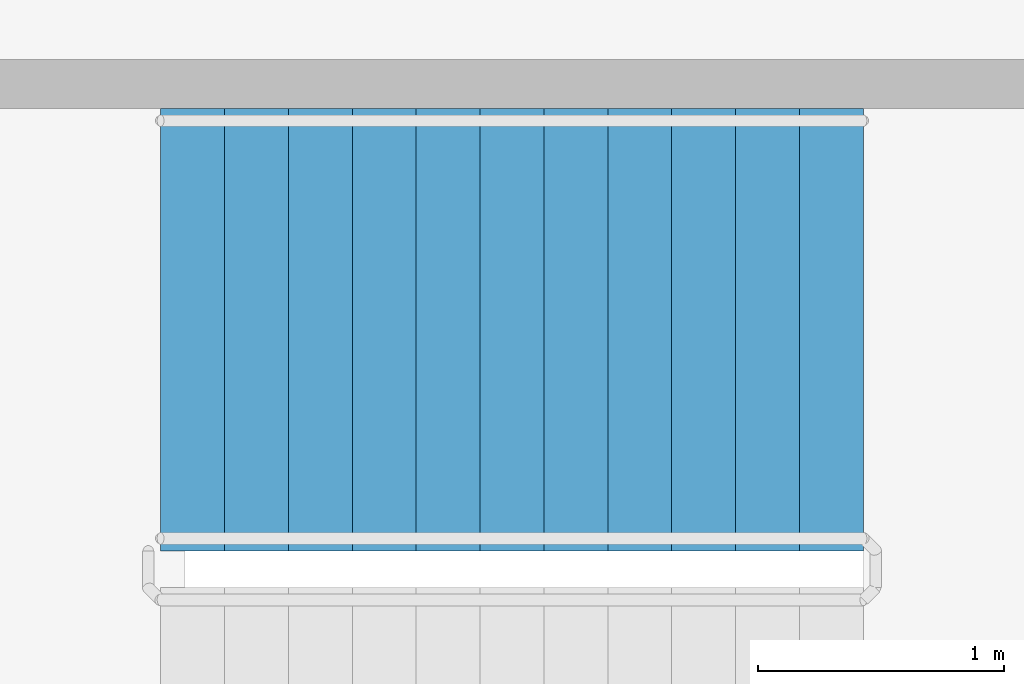
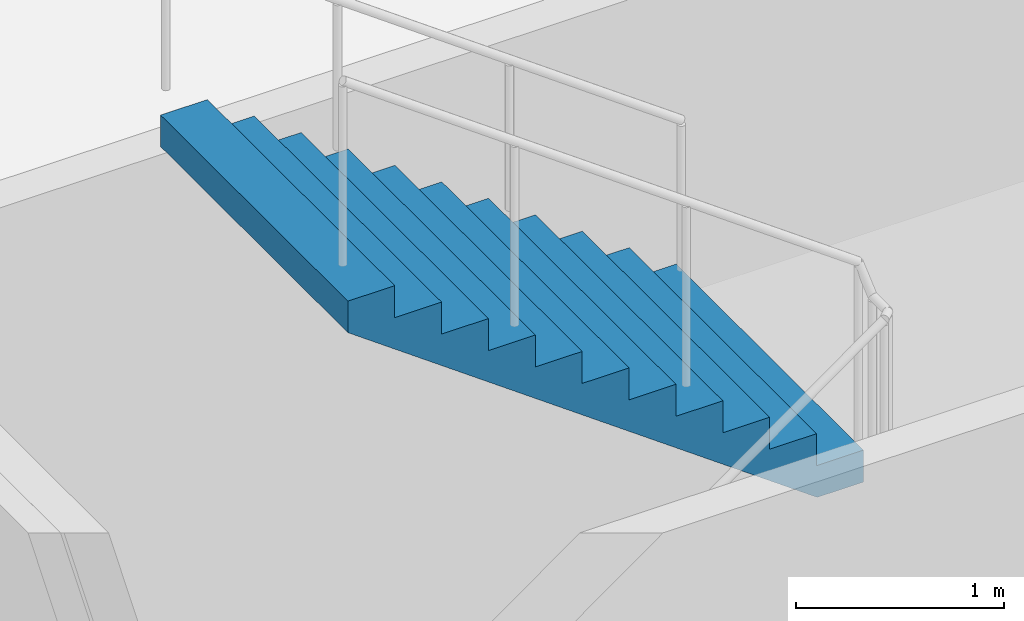
# One storey, part 28 of 51: 1 stair flight, 1 element without a shape of its own.
"""IFC4 building model written with IfcOpenShell, lengths in metres."""

from ifc_helpers import new_model, si_unit, direction, frame, origin, place, context, subcontext, project, spatial, faceted_brep, material, type_object, element, aggregate, save


model = new_model("IFC4")

# Units and contexts
model_context = context("Model", 3, precision=1e-05, world=origin(), true_north=direction((0.0, 1.0)))
body_context = subcontext(model_context, "Body", "Model", "MODEL_VIEW")
ifc_project = project(units=[si_unit("LENGTHUNIT", "METRE"), si_unit("AREAUNIT", "SQUARE_METRE"), si_unit("VOLUMEUNIT", "CUBIC_METRE"), si_unit("PLANEANGLEUNIT", "RADIAN"), si_unit("MASSUNIT", "GRAM", prefix="KILO")], contexts=[model_context])

# Site, building, storey
site_placement = place(None, origin())
site = spatial("IfcSite", under=ifc_project, at=site_placement, CompositionType="ELEMENT")
building_placement = place(site_placement, origin())
building = spatial("IfcBuilding", under=site, at=building_placement, Name="Ipe Terrace Towers", CompositionType="ELEMENT")
storey_placement = place(building_placement, frame((0.0, 0.0, 15.5)))
storey = spatial("IfcBuildingStorey", under=building, at=storey_placement, Name="L03", CompositionType="ELEMENT", Elevation=15.5)

# Stair, stair flight
ifc_material_1 = material(Name="Concrete C30/37", Category="concrete")
stair_type = type_object("IfcStairType", Name="Protected exit stair", PredefinedType="HALF_TURN_STAIR", material=ifc_material_1)
stair_placement = place(storey_placement, origin())
stair = element("IfcStair", 1, at=stair_placement, inside=storey, type_object=stair_type, Name="L03 Podium exit stair PS4", PredefinedType="HALF_TURN_STAIR")
ifc_material_2 = material(Name="Concrete C30/37", Category="concrete")
stair_flight_type = type_object("IfcStairFlightType", Name="Exit stair flight 1800", PredefinedType="STRAIGHT", material=ifc_material_2)
stair_flight_placement = place(storey_placement, frame((-54.409912109375, -20.550048828125, 2.25), z_axis=(0.0, 0.0, 1.0), x_axis=(-1.0, 0.0, 0.0)))
stair_flight = element("IfcStairFlight", 2, at=stair_flight_placement, type_object=stair_flight_type, Name="PS4 flight 2", NumberOfRisers=12, NumberOfTreads=11, PredefinedType="STRAIGHT", RiserHeight=0.1875, TreadLength=0.26, context=body_context, shape_type="Brep", body=[
    faceted_brep([(0.25634765625, -0.89990234375, 0.0), (2.860107421875, -0.89990234375, 1.877685546875), (2.860107421875, -0.89990234375, 2.0625), (2.60009765625, -0.89990234375, 2.0625), (2.60009765625, -0.89990234375, 1.875), (2.340087890625, -0.89990234375, 1.875), (2.340087890625, -0.89990234375, 1.6875), (2.080078125, -0.89990234375, 1.6875), (2.080078125, -0.89990234375, 1.5), (1.820068359375, -0.89990234375, 1.5), (1.820068359375, -0.89990234375, 1.3125), (1.56005859375, -0.89990234375, 1.3125), (1.56005859375, -0.89990234375, 1.125), (1.300048828125, -0.89990234375, 1.125), (1.300048828125, -0.89990234375, 0.9375), (1.0400390625, -0.89990234375, 0.9375), (1.0400390625, -0.89990234375, 0.75), (0.780029296875, -0.89990234375, 0.75), (0.780029296875, -0.89990234375, 0.5625), (0.52001953125, -0.89990234375, 0.5625), (0.52001953125, -0.89990234375, 0.375), (0.260009765625, -0.89990234375, 0.375), (0.260009765625, -0.89990234375, 0.1875), (0.0, -0.89990234375, 0.1875), (0.0, -0.89990234375, 0.0), (0.0, 0.89990234375, 0.0), (0.0, 0.89990234375, 0.1875), (0.260009765625, 0.89990234375, 0.1875), (0.260009765625, 0.89990234375, 0.375), (0.52001953125, 0.89990234375, 0.375), (0.52001953125, 0.89990234375, 0.5625), (0.780029296875, 0.89990234375, 0.5625), (0.780029296875, 0.89990234375, 0.75), (1.0400390625, 0.89990234375, 0.75), (1.0400390625, 0.89990234375, 0.9375), (1.300048828125, 0.89990234375, 0.9375), (1.300048828125, 0.89990234375, 1.125), (1.56005859375, 0.89990234375, 1.125), (1.56005859375, 0.89990234375, 1.3125), (1.820068359375, 0.89990234375, 1.3125), (1.820068359375, 0.89990234375, 1.5), (2.080078125, 0.89990234375, 1.5), (2.080078125, 0.89990234375, 1.6875), (2.340087890625, 0.89990234375, 1.6875), (2.340087890625, 0.89990234375, 1.875), (2.60009765625, 0.89990234375, 1.875), (2.60009765625, 0.89990234375, 2.0625), (2.860107421875, 0.89990234375, 2.0625), (2.860107421875, 0.89990234375, 1.877685546875), (0.25634765625, 0.89990234375, 0.0), (0.0, -0.300048828125, 0.1875), (0.0, -0.1201171875, 0.1875), (0.0, -0.06005859375, 0.1875), (0.0, -0.030029296875, 0.1875), (0.0, -0.010009765625, 0.1875), (0.0, 0.0, 0.1875), (0.0, 0.010009765625, 0.1875), (0.0, 0.030029296875, 0.1875), (0.0, 0.06005859375, 0.1875), (0.0, 0.1201171875, 0.1875), (0.0, 0.300048828125, 0.1875), (0.0, 0.300048828125, 0.0), (0.0, 0.1201171875, 0.0), (0.0, 0.06005859375, 0.0), (0.0, 0.030029296875, 0.0), (0.0, 0.010009765625, 0.0), (0.0, 0.0, 0.0), (0.0, -0.010009765625, 0.0), (0.0, -0.030029296875, 0.0), (0.0, -0.06005859375, 0.0), (0.0, -0.1201171875, 0.0), (0.0, -0.300048828125, 0.0), (0.260009765625, -0.300048828125, 0.1875), (0.260009765625, -0.1201171875, 0.1875), (0.260009765625, -0.06005859375, 0.1875), (0.260009765625, -0.030029296875, 0.1875), (0.260009765625, -0.010009765625, 0.1875), (0.260009765625, 0.0, 0.1875), (0.260009765625, 0.010009765625, 0.1875), (0.260009765625, 0.030029296875, 0.1875), (0.260009765625, 0.06005859375, 0.1875), (0.260009765625, 0.1201171875, 0.1875), (0.260009765625, 0.300048828125, 0.1875), (0.260009765625, -0.300048828125, 0.375), (0.260009765625, -0.1201171875, 0.375), (0.260009765625, -0.06005859375, 0.375), (0.260009765625, -0.030029296875, 0.375), (0.260009765625, -0.010009765625, 0.375), (0.260009765625, 0.0, 0.375), (0.260009765625, 0.010009765625, 0.375), (0.260009765625, 0.030029296875, 0.375), (0.260009765625, 0.06005859375, 0.375), (0.260009765625, 0.1201171875, 0.375), (0.260009765625, 0.300048828125, 0.375), (0.52001953125, -0.300048828125, 0.375), (0.52001953125, -0.1201171875, 0.375), (0.52001953125, -0.06005859375, 0.375), (0.52001953125, -0.030029296875, 0.375), (0.52001953125, -0.010009765625, 0.375), (0.52001953125, 0.0, 0.375), (0.52001953125, 0.010009765625, 0.375), (0.52001953125, 0.030029296875, 0.375), (0.52001953125, 0.06005859375, 0.375), (0.52001953125, 0.1201171875, 0.375), (0.52001953125, 0.300048828125, 0.375), (0.52001953125, -0.300048828125, 0.5625), (0.52001953125, -0.1201171875, 0.5625), (0.52001953125, -0.06005859375, 0.5625), (0.52001953125, -0.030029296875, 0.5625), (0.52001953125, -0.010009765625, 0.5625), (0.52001953125, 0.0, 0.5625), (0.52001953125, 0.010009765625, 0.5625), (0.52001953125, 0.030029296875, 0.5625), (0.52001953125, 0.06005859375, 0.5625), (0.52001953125, 0.1201171875, 0.5625), (0.52001953125, 0.300048828125, 0.5625), (0.780029296875, -0.300048828125, 0.5625), (0.780029296875, -0.1201171875, 0.5625), (0.780029296875, -0.06005859375, 0.5625), (0.780029296875, -0.030029296875, 0.5625), (0.780029296875, -0.010009765625, 0.5625), (0.780029296875, 0.0, 0.5625), (0.780029296875, 0.010009765625, 0.5625), (0.780029296875, 0.030029296875, 0.5625), (0.780029296875, 0.06005859375, 0.5625), (0.780029296875, 0.1201171875, 0.5625), (0.780029296875, 0.300048828125, 0.5625), (0.780029296875, -0.300048828125, 0.75), (0.780029296875, -0.1201171875, 0.75), (0.780029296875, -0.06005859375, 0.75), (0.780029296875, -0.030029296875, 0.75), (0.780029296875, -0.010009765625, 0.75), (0.780029296875, 0.0, 0.75), (0.780029296875, 0.010009765625, 0.75), (0.780029296875, 0.030029296875, 0.75), (0.780029296875, 0.06005859375, 0.75), (0.780029296875, 0.1201171875, 0.75), (0.780029296875, 0.300048828125, 0.75), (1.0400390625, -0.300048828125, 0.75), (1.0400390625, -0.1201171875, 0.75), (1.0400390625, -0.06005859375, 0.75), (1.0400390625, -0.030029296875, 0.75), (1.0400390625, -0.010009765625, 0.75), (1.0400390625, 0.0, 0.75), (1.0400390625, 0.010009765625, 0.75), (1.0400390625, 0.030029296875, 0.75), (1.0400390625, 0.06005859375, 0.75), (1.0400390625, 0.1201171875, 0.75), (1.0400390625, 0.300048828125, 0.75), (1.0400390625, -0.300048828125, 0.9375), (1.0400390625, -0.1201171875, 0.9375), (1.0400390625, -0.06005859375, 0.9375), (1.0400390625, -0.030029296875, 0.9375), (1.0400390625, -0.010009765625, 0.9375), (1.0400390625, 0.0, 0.9375), (1.0400390625, 0.010009765625, 0.9375), (1.0400390625, 0.030029296875, 0.9375), (1.0400390625, 0.06005859375, 0.9375), (1.0400390625, 0.1201171875, 0.9375), (1.0400390625, 0.300048828125, 0.9375), (1.300048828125, -0.300048828125, 0.9375), (1.300048828125, -0.1201171875, 0.9375), (1.300048828125, -0.06005859375, 0.9375), (1.300048828125, -0.030029296875, 0.9375), (1.300048828125, -0.010009765625, 0.9375), (1.300048828125, 0.0, 0.9375), (1.300048828125, 0.010009765625, 0.9375), (1.300048828125, 0.030029296875, 0.9375), (1.300048828125, 0.06005859375, 0.9375), (1.300048828125, 0.1201171875, 0.9375), (1.300048828125, 0.300048828125, 0.9375), (1.300048828125, -0.300048828125, 1.125), (1.300048828125, -0.1201171875, 1.125), (1.300048828125, -0.06005859375, 1.125), (1.300048828125, -0.030029296875, 1.125), (1.300048828125, -0.010009765625, 1.125), (1.300048828125, 0.0, 1.125), (1.300048828125, 0.010009765625, 1.125), (1.300048828125, 0.030029296875, 1.125), (1.300048828125, 0.06005859375, 1.125), (1.300048828125, 0.1201171875, 1.125), (1.300048828125, 0.300048828125, 1.125), (1.56005859375, -0.300048828125, 1.125), (1.56005859375, -0.1201171875, 1.125), (1.56005859375, -0.06005859375, 1.125), (1.56005859375, -0.030029296875, 1.125), (1.56005859375, -0.010009765625, 1.125), (1.56005859375, 0.0, 1.125), (1.56005859375, 0.010009765625, 1.125), (1.56005859375, 0.030029296875, 1.125), (1.56005859375, 0.06005859375, 1.125), (1.56005859375, 0.1201171875, 1.125), (1.56005859375, 0.300048828125, 1.125), (1.56005859375, -0.300048828125, 1.3125), (1.56005859375, -0.1201171875, 1.3125), (1.56005859375, -0.06005859375, 1.3125), (1.56005859375, -0.030029296875, 1.3125), (1.56005859375, -0.010009765625, 1.3125), (1.56005859375, 0.0, 1.3125), (1.56005859375, 0.010009765625, 1.3125), (1.56005859375, 0.030029296875, 1.3125), (1.56005859375, 0.06005859375, 1.3125), (1.56005859375, 0.1201171875, 1.3125), (1.56005859375, 0.300048828125, 1.3125), (1.820068359375, -0.300048828125, 1.3125), (1.820068359375, -0.1201171875, 1.3125), (1.820068359375, -0.06005859375, 1.3125), (1.820068359375, -0.030029296875, 1.3125), (1.820068359375, -0.010009765625, 1.3125), (1.820068359375, 0.0, 1.3125), (1.820068359375, 0.010009765625, 1.3125), (1.820068359375, 0.030029296875, 1.3125), (1.820068359375, 0.06005859375, 1.3125), (1.820068359375, 0.1201171875, 1.3125), (1.820068359375, 0.300048828125, 1.3125), (1.820068359375, -0.300048828125, 1.5), (1.820068359375, -0.1201171875, 1.5), (1.820068359375, -0.06005859375, 1.5), (1.820068359375, -0.030029296875, 1.5), (1.820068359375, -0.010009765625, 1.5), (1.820068359375, 0.0, 1.5), (1.820068359375, 0.010009765625, 1.5), (1.820068359375, 0.030029296875, 1.5), (1.820068359375, 0.06005859375, 1.5), (1.820068359375, 0.1201171875, 1.5), (1.820068359375, 0.300048828125, 1.5), (2.080078125, -0.300048828125, 1.5), (2.080078125, -0.1201171875, 1.5), (2.080078125, -0.06005859375, 1.5), (2.080078125, -0.030029296875, 1.5), (2.080078125, -0.010009765625, 1.5), (2.080078125, 0.0, 1.5), (2.080078125, 0.010009765625, 1.5), (2.080078125, 0.030029296875, 1.5), (2.080078125, 0.06005859375, 1.5), (2.080078125, 0.1201171875, 1.5), (2.080078125, 0.300048828125, 1.5), (2.080078125, -0.300048828125, 1.6875), (2.080078125, -0.1201171875, 1.6875), (2.080078125, -0.06005859375, 1.6875), (2.080078125, -0.030029296875, 1.6875), (2.080078125, -0.010009765625, 1.6875), (2.080078125, 0.0, 1.6875), (2.080078125, 0.010009765625, 1.6875), (2.080078125, 0.030029296875, 1.6875), (2.080078125, 0.06005859375, 1.6875), (2.080078125, 0.1201171875, 1.6875), (2.080078125, 0.300048828125, 1.6875), (2.340087890625, -0.300048828125, 1.6875), (2.340087890625, -0.1201171875, 1.6875), (2.340087890625, -0.06005859375, 1.6875), (2.340087890625, -0.030029296875, 1.6875), (2.340087890625, -0.010009765625, 1.6875), (2.340087890625, 0.0, 1.6875), (2.340087890625, 0.010009765625, 1.6875), (2.340087890625, 0.030029296875, 1.6875), (2.340087890625, 0.06005859375, 1.6875), (2.340087890625, 0.1201171875, 1.6875), (2.340087890625, 0.300048828125, 1.6875), (2.340087890625, -0.300048828125, 1.875), (2.340087890625, -0.1201171875, 1.875), (2.340087890625, -0.06005859375, 1.875), (2.340087890625, -0.030029296875, 1.875), (2.340087890625, -0.010009765625, 1.875), (2.340087890625, 0.0, 1.875), (2.340087890625, 0.010009765625, 1.875), (2.340087890625, 0.030029296875, 1.875), (2.340087890625, 0.06005859375, 1.875), (2.340087890625, 0.1201171875, 1.875), (2.340087890625, 0.300048828125, 1.875), (2.60009765625, -0.300048828125, 1.875), (2.60009765625, -0.1201171875, 1.875), (2.60009765625, -0.06005859375, 1.875), (2.60009765625, -0.030029296875, 1.875), (2.60009765625, -0.010009765625, 1.875), (2.60009765625, 0.0, 1.875), (2.60009765625, 0.010009765625, 1.875), (2.60009765625, 0.030029296875, 1.875), (2.60009765625, 0.06005859375, 1.875), (2.60009765625, 0.1201171875, 1.875), (2.60009765625, 0.300048828125, 1.875), (2.60009765625, -0.300048828125, 2.0625), (2.60009765625, -0.1201171875, 2.0625), (2.60009765625, -0.06005859375, 2.0625), (2.60009765625, -0.030029296875, 2.0625), (2.60009765625, -0.010009765625, 2.0625), (2.60009765625, 0.0, 2.0625), (2.60009765625, 0.010009765625, 2.0625), (2.60009765625, 0.030029296875, 2.0625), (2.60009765625, 0.06005859375, 2.0625), (2.60009765625, 0.1201171875, 2.0625), (2.60009765625, 0.300048828125, 2.0625), (2.860107421875, -0.300048828125, 2.0625), (2.860107421875, -0.1201171875, 2.0625), (2.860107421875, -0.06005859375, 2.0625), (2.860107421875, -0.030029296875, 2.0625), (2.860107421875, -0.010009765625, 2.0625), (2.860107421875, 0.0, 2.0625), (2.860107421875, 0.010009765625, 2.0625), (2.860107421875, 0.030029296875, 2.0625), (2.860107421875, 0.06005859375, 2.0625), (2.860107421875, 0.1201171875, 2.0625), (2.860107421875, 0.300048828125, 2.0625), (2.860107421875, -0.300048828125, 1.877685546875), (2.860107421875, -0.1201171875, 1.877685546875), (2.860107421875, -0.06005859375, 1.877685546875), (2.860107421875, -0.030029296875, 1.877685546875), (2.860107421875, -0.010009765625, 1.877685546875), (2.860107421875, 0.0, 1.877685546875), (2.860107421875, 0.010009765625, 1.877685546875), (2.860107421875, 0.030029296875, 1.877685546875), (2.860107421875, 0.06005859375, 1.877685546875), (2.860107421875, 0.1201171875, 1.877685546875), (2.860107421875, 0.300048828125, 1.877685546875), (0.25634765625, -0.300048828125, 0.0), (0.25634765625, -0.1201171875, 0.0), (0.25634765625, -0.06005859375, 0.0), (0.25634765625, -0.030029296875, 0.0), (0.25634765625, -0.010009765625, 0.0), (0.25634765625, 0.0, 0.0), (0.25634765625, 0.010009765625, 0.0), (0.25634765625, 0.030029296875, 0.0), (0.25634765625, 0.06005859375, 0.0), (0.25634765625, 0.1201171875, 0.0), (0.25634765625, 0.300048828125, 0.0)], [[[0, 1, 2, 3, 4, 5, 6, 7, 8, 9, 10, 11, 12, 13, 14, 15, 16, 17, 18, 19, 20, 21, 22, 23, 24]], [[25, 26, 27, 28, 29, 30, 31, 32, 33, 34, 35, 36, 37, 38, 39, 40, 41, 42, 43, 44, 45, 46, 47, 48, 49]], [[23, 50, 51, 52, 53, 54, 55, 56, 57, 58, 59, 60, 26, 25, 61, 62, 63, 64, 65, 66, 67, 68, 69, 70, 71, 24]], [[22, 72, 73, 74, 75, 76, 77, 78, 79, 80, 81, 82, 27, 26, 60, 59, 58, 57, 56, 55, 54, 53, 52, 51, 50, 23]], [[21, 83, 84, 85, 86, 87, 88, 89, 90, 91, 92, 93, 28, 27, 82, 81, 80, 79, 78, 77, 76, 75, 74, 73, 72, 22]], [[20, 94, 95, 96, 97, 98, 99, 100, 101, 102, 103, 104, 29, 28, 93, 92, 91, 90, 89, 88, 87, 86, 85, 84, 83, 21]], [[19, 105, 106, 107, 108, 109, 110, 111, 112, 113, 114, 115, 30, 29, 104, 103, 102, 101, 100, 99, 98, 97, 96, 95, 94, 20]], [[18, 116, 117, 118, 119, 120, 121, 122, 123, 124, 125, 126, 31, 30, 115, 114, 113, 112, 111, 110, 109, 108, 107, 106, 105, 19]], [[17, 127, 128, 129, 130, 131, 132, 133, 134, 135, 136, 137, 32, 31, 126, 125, 124, 123, 122, 121, 120, 119, 118, 117, 116, 18]], [[16, 138, 139, 140, 141, 142, 143, 144, 145, 146, 147, 148, 33, 32, 137, 136, 135, 134, 133, 132, 131, 130, 129, 128, 127, 17]], [[15, 149, 150, 151, 152, 153, 154, 155, 156, 157, 158, 159, 34, 33, 148, 147, 146, 145, 144, 143, 142, 141, 140, 139, 138, 16]], [[14, 160, 161, 162, 163, 164, 165, 166, 167, 168, 169, 170, 35, 34, 159, 158, 157, 156, 155, 154, 153, 152, 151, 150, 149, 15]], [[13, 171, 172, 173, 174, 175, 176, 177, 178, 179, 180, 181, 36, 35, 170, 169, 168, 167, 166, 165, 164, 163, 162, 161, 160, 14]], [[12, 182, 183, 184, 185, 186, 187, 188, 189, 190, 191, 192, 37, 36, 181, 180, 179, 178, 177, 176, 175, 174, 173, 172, 171, 13]], [[11, 193, 194, 195, 196, 197, 198, 199, 200, 201, 202, 203, 38, 37, 192, 191, 190, 189, 188, 187, 186, 185, 184, 183, 182, 12]], [[10, 204, 205, 206, 207, 208, 209, 210, 211, 212, 213, 214, 39, 38, 203, 202, 201, 200, 199, 198, 197, 196, 195, 194, 193, 11]], [[9, 215, 216, 217, 218, 219, 220, 221, 222, 223, 224, 225, 40, 39, 214, 213, 212, 211, 210, 209, 208, 207, 206, 205, 204, 10]], [[8, 226, 227, 228, 229, 230, 231, 232, 233, 234, 235, 236, 41, 40, 225, 224, 223, 222, 221, 220, 219, 218, 217, 216, 215, 9]], [[7, 237, 238, 239, 240, 241, 242, 243, 244, 245, 246, 247, 42, 41, 236, 235, 234, 233, 232, 231, 230, 229, 228, 227, 226, 8]], [[6, 248, 249, 250, 251, 252, 253, 254, 255, 256, 257, 258, 43, 42, 247, 246, 245, 244, 243, 242, 241, 240, 239, 238, 237, 7]], [[5, 259, 260, 261, 262, 263, 264, 265, 266, 267, 268, 269, 44, 43, 258, 257, 256, 255, 254, 253, 252, 251, 250, 249, 248, 6]], [[4, 270, 271, 272, 273, 274, 275, 276, 277, 278, 279, 280, 45, 44, 269, 268, 267, 266, 265, 264, 263, 262, 261, 260, 259, 5]], [[3, 281, 282, 283, 284, 285, 286, 287, 288, 289, 290, 291, 46, 45, 280, 279, 278, 277, 276, 275, 274, 273, 272, 271, 270, 4]], [[2, 292, 293, 294, 295, 296, 297, 298, 299, 300, 301, 302, 47, 46, 291, 290, 289, 288, 287, 286, 285, 284, 283, 282, 281, 3]], [[1, 303, 304, 305, 306, 307, 308, 309, 310, 311, 312, 313, 48, 47, 302, 301, 300, 299, 298, 297, 296, 295, 294, 293, 292, 2]], [[0, 314, 315, 316, 317, 318, 319, 320, 321, 322, 323, 324, 49, 48, 313, 312, 311, 310, 309, 308, 307, 306, 305, 304, 303, 1]], [[24, 71, 70, 69, 68, 67, 66, 65, 64, 63, 62, 61, 25, 49, 324, 323, 322, 321, 320, 319, 318, 317, 316, 315, 314, 0]]]),
])
aggregate(stair, [stair_flight])

save(model, "model.ifc")
